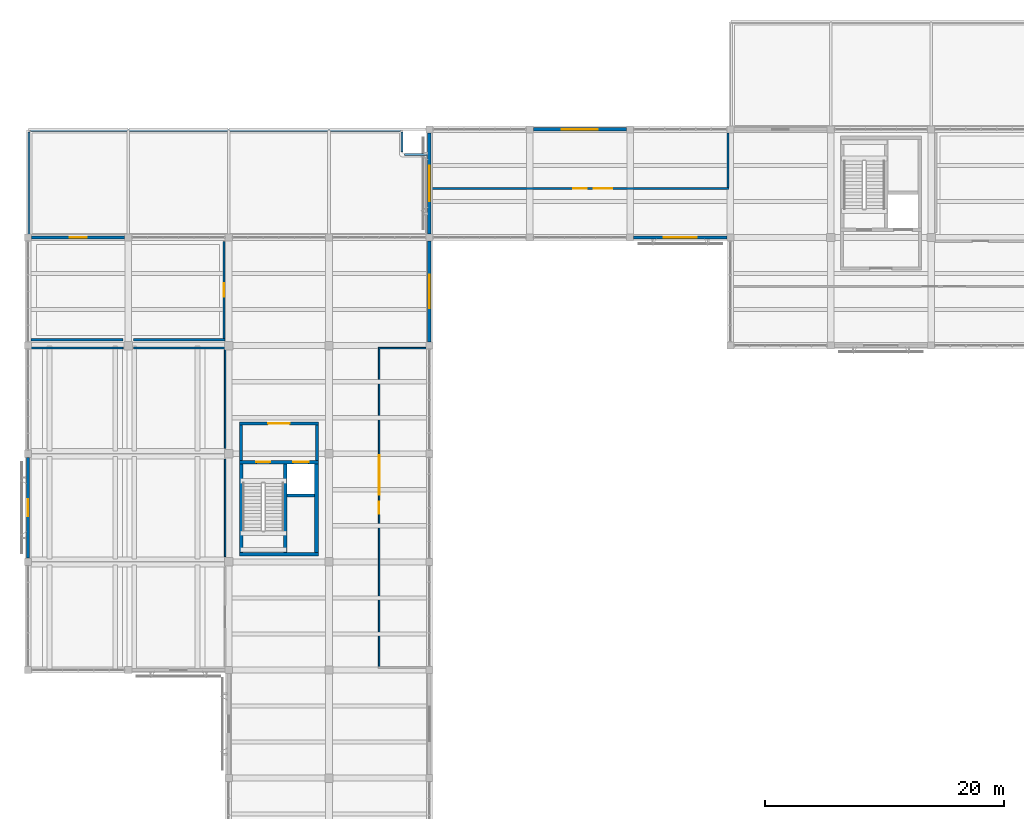
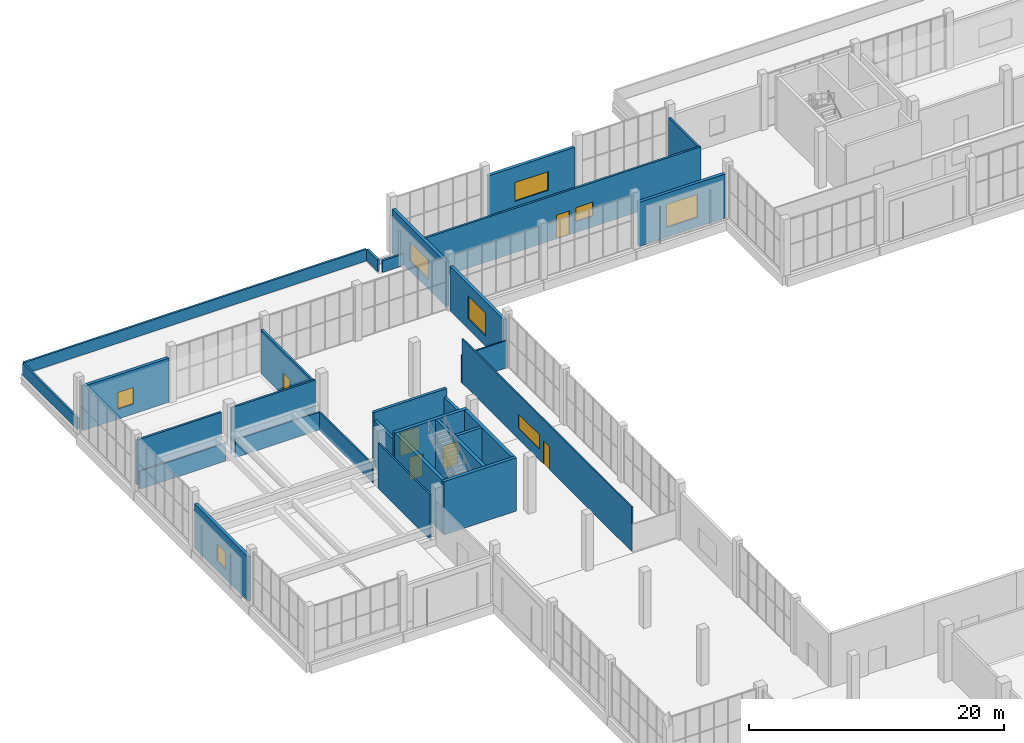
# One storey, part 115 of 132: 30 walls, 8 windows, 6 doors, 14 openings.
"""IFC4 building model written with IfcOpenShell, lengths in metres."""

import ifcopenshell
import ifcopenshell.guid

model = None  # the IFC model being written
_history = None  # IfcOwnerHistory: only IFC2X3 demands one
_inside = {}  # id of a spatial element -> (the spatial element, [elements in it])
_under = {}  # id of a project, library or spatial element -> (it, [spatial elements below it])
_declared = {}  # id of a project -> (the project, [libraries it declares])
_typed = {}  # id of a type object -> (the type object, [elements of that type])
_made_of = {}  # id of a material, layer set ... -> (it, [elements and type objects made of it])


def new_model(schema):
    """Start an empty IFC model of exactly this schema.

    Asked for "IFC4X3", IfcOpenShell would pick the latest addendum, in which some entities
    have other attributes; the version numbers below select the first issue.
    IFC2X3 requires an IfcOwnerHistory on every rooted entity: one is made here for all.
    """
    global model, _history
    if schema == "IFC4X3":
        model = ifcopenshell.file(schema_version=(4, 3, 0, 0))
    else:
        model = ifcopenshell.file(schema=schema)
    _inside.clear()
    _under.clear()
    _declared.clear()
    _typed.clear()
    _made_of.clear()
    _history = None
    if model.schema == "IFC2X3":
        org = make("IfcOrganization", Name="unknown")
        user = make(
            "IfcPersonAndOrganization",
            ThePerson=make("IfcPerson", FamilyName="unknown"),
            TheOrganization=org,
        )
        app = make(
            "IfcApplication",
            ApplicationDeveloper=org,
            Version="unknown",
            ApplicationFullName="unknown",
            ApplicationIdentifier="unknown",
        )
        _history = make(
            "IfcOwnerHistory",
            OwningUser=user,
            OwningApplication=app,
            ChangeAction="ADDED",
            CreationDate=0,
        )
    return model


def make(cls, **values):
    """One entity of the class cls with the attributes given. An attribute that is None is left unset."""
    return model.create_entity(
        cls, **{name: value for name, value in values.items() if value is not None}
    )


def rooted(cls, **values):
    """An entity with a GlobalId (a new one), such as an element, a storey or a relation."""
    return make(cls, GlobalId=ifcopenshell.guid.new(), OwnerHistory=_history, **values)


def si_unit(unit_type, name, prefix=None):
    """IfcSIUnit, for example si_unit("LENGTHUNIT", "METRE", prefix="MILLI")."""
    return make("IfcSIUnit", UnitType=unit_type, Prefix=prefix, Name=name)


def assignment(units):
    """IfcUnitAssignment: the units of a project."""
    return None if units is None else make("IfcUnitAssignment", Units=units)


def point(xyz):
    """IfcCartesianPoint."""
    return None if xyz is None else make("IfcCartesianPoint", Coordinates=xyz)


def direction(xyz):
    """IfcDirection."""
    return None if xyz is None else make("IfcDirection", DirectionRatios=xyz)


def frame(location, z_axis=None, x_axis=None):
    """IfcAxis2Placement3D, a coordinate frame: its origin and axes. An axis left out is left unset."""
    return make(
        "IfcAxis2Placement3D",
        Location=point(location),
        Axis=direction(z_axis),
        RefDirection=direction(x_axis),
    )


def frame_2d(location, x_axis=None):
    """IfcAxis2Placement2D, a coordinate frame in the plane: its origin and x axis."""
    return make(
        "IfcAxis2Placement2D", Location=point(location), RefDirection=direction(x_axis)
    )


def origin():
    """The frame at (0, 0, 0) with its axes left unset."""
    return frame((0.0, 0.0, 0.0))


def place(relative_to, where):
    """IfcLocalPlacement: puts the frame where relative to a parent placement (None: the world)."""
    return make(
        "IfcLocalPlacement", PlacementRelTo=relative_to, RelativePlacement=where
    )


def context(
    kind, dimensions, precision=None, world=None, true_north=None, identifier=None
):
    """IfcGeometricRepresentationContext, for example the 3D "Model" context."""
    return make(
        "IfcGeometricRepresentationContext",
        ContextIdentifier=identifier,
        ContextType=kind,
        CoordinateSpaceDimension=dimensions,
        Precision=precision,
        WorldCoordinateSystem=world,
        TrueNorth=true_north,
    )


def subcontext(parent, identifier, kind, view, scale=None):
    """IfcGeometricRepresentationSubContext, for example "Body" below "Model"."""
    return make(
        "IfcGeometricRepresentationSubContext",
        ContextIdentifier=identifier,
        ContextType=kind,
        ParentContext=parent,
        TargetScale=scale,
        TargetView=view,
    )


def project(units=None, contexts=None):
    """IfcProject with its units and contexts."""
    return rooted(
        "IfcProject",
        Name="project",
        RepresentationContexts=contexts,
        UnitsInContext=assignment(units),
    )


def spatial(cls, under=None, at=None, **own):
    """A site, building, storey or space (cls), placed at a placement, below another one or the project."""
    s = rooted(cls, ObjectPlacement=at, **own)
    if under is not None:
        _under.setdefault(under.id(), (under, []))[1].append(s)
    return s


def profile(cls, at=None, kind="AREA", **sizes):
    """A parametric profile (cls). Its sizes go by their IFC names, for example OverallWidth=200.0."""
    return make(cls, ProfileType=kind, Position=at, **sizes)


def rectangle(**sizes):
    """IfcRectangleProfileDef."""
    return profile("IfcRectangleProfileDef", **sizes)


def extrude(swept, where, along, depth):
    """IfcExtrudedAreaSolid: the profile swept, set in the frame where, extruded along a direction by depth."""
    return make(
        "IfcExtrudedAreaSolid",
        SweptArea=swept,
        Position=where,
        ExtrudedDirection=direction(along),
        Depth=depth,
    )


def shape(context_of_items, identifier, shape_type, items):
    """IfcShapeRepresentation: the items that make up one representation, for example the "Body"."""
    return make(
        "IfcShapeRepresentation",
        ContextOfItems=context_of_items,
        RepresentationIdentifier=identifier,
        RepresentationType=shape_type,
        Items=items,
    )


def material(Name=None, Category=None):
    """IfcMaterial."""
    return make("IfcMaterial", Name=Name, Category=Category)


def layer(
    of_material, thickness, ventilated=None, Name=None, Category=None, Priority=None
):
    """IfcMaterialLayer: one layer of a wall or slab, of a material (None: an air gap)."""
    return make(
        "IfcMaterialLayer",
        Material=of_material,
        LayerThickness=thickness,
        IsVentilated=ventilated,
        Name=Name,
        Category=Category,
        Priority=Priority,
    )


def layer_set(layers, Name=None):
    """IfcMaterialLayerSet."""
    return make("IfcMaterialLayerSet", MaterialLayers=layers, LayerSetName=Name)


def made_of(thing, what):
    """Note that an element or type object is made of a material, layer set ...; save() writes the relation."""
    if what is not None:
        _made_of.setdefault(what.id(), (what, []))[1].append(thing)
    return thing


def type_object(cls, material=None, **own):
    """A type object (cls), such as IfcWallType, which elements share."""
    return made_of(rooted(cls, **own), material)


def element(
    cls,
    number,
    at=None,
    inside=None,
    cuts=None,
    type_object=None,
    material=None,
    context=None,
    identifier="Body",
    shape_type=None,
    held_by="IfcProductDefinitionShape",
    body=None,
    shapes=None,
    **own,
):
    """One element of the class cls, such as IfcWall. Its Tag is "e" and its number.

    at: its placement. inside: the storey or other place that contains it. cuts: it is an
    opening in that element (IfcRelVoidsElement). A single representation is given by context,
    identifier, shape_type and body (its items); several are given by shapes. held_by: the class
    of the entity that holds the representations. save() writes the other relations.
    """
    e = rooted(cls, Tag="e%d" % number, ObjectPlacement=at, **own)
    if body is not None:
        shapes = [shape(context, identifier, shape_type, body)]
    if shapes is not None:
        e.Representation = make(held_by, Representations=shapes)
    if inside is not None:
        _inside.setdefault(inside.id(), (inside, []))[1].append(e)
    if cuts is not None:
        rooted(
            "IfcRelVoidsElement", RelatingBuildingElement=cuts, RelatedOpeningElement=e
        )
    if type_object is not None:
        _typed.setdefault(type_object.id(), (type_object, []))[1].append(e)
    return made_of(e, material)


def fill(opening, filler):
    """IfcRelFillsElement: the door or window that sits in an opening."""
    return rooted(
        "IfcRelFillsElement",
        RelatingOpeningElement=opening,
        RelatedBuildingElement=filler,
    )


def aggregate(whole, parts):
    """IfcRelAggregates: a whole, such as a stair, and the parts it consists of."""
    return rooted("IfcRelAggregates", RelatingObject=whole, RelatedObjects=parts)


def save(model, path):
    """Write the relations noted so far, then the file.

    IfcRelAggregates (storeys below a building ...), IfcRelContainedInSpatialStructure (elements
    in a storey), IfcRelDefinesByType, IfcRelAssociatesMaterial and IfcRelDeclares: one each for
    every whole, place, type object, material and project.
    """
    for whole, parts in _under.values():
        aggregate(whole, parts)
    for where, things in _inside.values():
        rooted(
            "IfcRelContainedInSpatialStructure",
            RelatedElements=things,
            RelatingStructure=where,
        )
    for kind, things in _typed.values():
        rooted("IfcRelDefinesByType", RelatedObjects=things, RelatingType=kind)
    for what, things in _made_of.values():
        rooted("IfcRelAssociatesMaterial", RelatedObjects=things, RelatingMaterial=what)
    for by, libraries in _declared.values():
        rooted("IfcRelDeclares", RelatingContext=by, RelatedDefinitions=libraries)
    model.write(path)


model = new_model("IFC4")

# Units and contexts
model_context = context("Model", 3, precision=1e-05, world=origin(), true_north=direction((0.0, 1.0)))
body_context = subcontext(model_context, "Body", "Model", "MODEL_VIEW")
ifc_project = project(units=[si_unit("LENGTHUNIT", "METRE"), si_unit("AREAUNIT", "SQUARE_METRE"), si_unit("VOLUMEUNIT", "CUBIC_METRE"), si_unit("PLANEANGLEUNIT", "RADIAN"), si_unit("MASSUNIT", "GRAM", prefix="KILO")], contexts=[model_context])

# Site, building, storey
site_placement = place(None, origin())
site = spatial("IfcSite", under=ifc_project, at=site_placement, CompositionType="ELEMENT")
building_placement = place(site_placement, origin())
building = spatial("IfcBuilding", under=site, at=building_placement, Name="Khurvash Pelagic Aquarium", CompositionType="ELEMENT")
storey_placement = place(building_placement, frame((0.0, 0.0, 5.39990234375)))
storey = spatial("IfcBuildingStorey", under=building, at=storey_placement, Name="L01", CompositionType="ELEMENT", Elevation=5.39990234375)

# Wall, opening, window
ifc_material_1 = material(Name="Glass-fibre reinforced concrete C40/50", Category="concrete")
ifc_layer_1 = layer(ifc_material_1, 0.280029296875)
ifc_layer_set_1 = layer_set([ifc_layer_1], Name="Glass-fibre reinforced concrete C40/50")
wall_type_1 = type_object("IfcWallType", Name="EW-280", PredefinedType="STANDARD", material=ifc_layer_set_1)
wall_1_placement = place(storey_placement, frame((50.094970703125, 102.14990234375, 0.0), z_axis=(0.0, 0.0, 1.0), x_axis=(-1.0, 0.0, 0.0)))
wall_1 = element("IfcWall", 1, at=wall_1_placement, inside=storey, type_object=wall_type_1, Name="L01 Exterior Architectural Facade Wall EW-280 0046", PredefinedType="STANDARD", context=body_context, shape_type="SweptSolid", body=[
    extrude(rectangle(XDim=7.7900390625, YDim=0.280029296875, at=frame_2d((3.89501953125, 0.0))), origin(), (0.0, 0.0, 1.0), 4.22998046875),
])
opening_1_placement = place(wall_1_placement, frame((2.39501953125, 0.0, 0.9501953125)))
opening_1 = element("IfcOpeningElement", 2, at=opening_1_placement, cuts=wall_1, Name="Opening WN-06", PredefinedType="OPENING", context=body_context, shape_type="SweptSolid", body=[
    extrude(rectangle(XDim=3.0, YDim=1.800048828125, at=frame_2d((1.5, 0.89990234375))), frame((0.0, 0.14990234375, 0.0), z_axis=(0.0, -1.0, 0.0), x_axis=(1.0, 0.0, 0.0)), (0.0, 0.0, 1.0), 0.300048828125),
])
ifc_material_2 = material(Name="Thermally broken aluminium and low-E glass", Category="aluminium")
window_type_1 = type_object("IfcWindowType", Name="WN-06", PartitioningType="SINGLE_PANEL", PredefinedType="WINDOW", material=ifc_material_2)
window_1_placement = place(opening_1_placement, origin())
window_1 = element("IfcWindow", 3, at=window_1_placement, inside=storey, type_object=window_type_1, Name="L01 Facade Window WN-06 0026", OverallHeight=1.800048828125, OverallWidth=3.0, PartitioningType="SINGLE_PANEL", PredefinedType="WINDOW", context=body_context, shape_type="SweptSolid", body=[
    extrude(rectangle(XDim=3.0, YDim=1.800048828125, at=frame_2d((1.5, 0.89990234375))), frame((0.0, 0.030029296875, 0.0), z_axis=(0.0, -1.0, 0.0), x_axis=(1.0, 0.0, 0.0)), (0.0, 0.0, 1.0), 0.06005859375),
])
fill(opening_1, window_1)

wall_2_placement = place(storey_placement, frame((33.60009765625, 101.844970703125, 0.0), z_axis=(0.0, 0.0, 1.0), x_axis=(0.0, -1.0, 0.0)))
wall_2 = element("IfcWall", 4, at=wall_2_placement, inside=storey, type_object=wall_type_1, Name="L01 Exterior Architectural Facade Wall EW-280 0047", PredefinedType="STANDARD", context=body_context, shape_type="SweptSolid", body=[
    extrude(rectangle(XDim=8.43994140625, YDim=0.280029296875, at=frame_2d((4.219970703125, 0.0))), origin(), (0.0, 0.0, 1.0), 4.25),
])
opening_2_placement = place(wall_2_placement, frame((2.719970703125, 0.0, 0.9501953125)))
opening_2 = element("IfcOpeningElement", 5, at=opening_2_placement, cuts=wall_2, Name="Opening WN-06", PredefinedType="OPENING", context=body_context, shape_type="SweptSolid", body=[
    extrude(rectangle(XDim=3.0, YDim=1.800048828125, at=frame_2d((1.5, 0.89990234375))), frame((0.0, 0.14990234375, 0.0), z_axis=(0.0, -1.0, 0.0), x_axis=(1.0, 0.0, 0.0)), (0.0, 0.0, 1.0), 0.300048828125),
])
window_2_placement = place(opening_2_placement, origin())
window_2 = element("IfcWindow", 6, at=window_2_placement, inside=storey, type_object=window_type_1, Name="L01 Facade Window WN-06 0027", OverallHeight=1.800048828125, OverallWidth=3.0, PartitioningType="SINGLE_PANEL", PredefinedType="WINDOW", context=body_context, shape_type="SweptSolid", body=[
    extrude(rectangle(XDim=3.0, YDim=1.800048828125, at=frame_2d((1.5, 0.89990234375))), frame((0.0, 0.030029296875, 0.0), z_axis=(0.0, -1.0, 0.0), x_axis=(1.0, 0.0, 0.0)), (0.0, 0.0, 1.0), 0.06005859375),
])
fill(opening_2, window_2)

wall_3_placement = place(storey_placement, frame((8.094970703125, 93.10009765625, 0.0), z_axis=(0.0, 0.0, 1.0), x_axis=(-1.0, 0.0, 0.0)))
wall_3 = element("IfcWall", 7, at=wall_3_placement, inside=storey, type_object=wall_type_1, Name="L01 Exterior Architectural Facade Wall EW-280 0048", PredefinedType="STANDARD", context=body_context, shape_type="SweptSolid", body=[
    extrude(rectangle(XDim=7.7900390625, YDim=0.280029296875, at=frame_2d((3.89501953125, 0.0))), origin(), (0.0, 0.0, 1.0), 4.22998046875),
])
opening_3_placement = place(wall_3_placement, frame((3.195068359375, 0.0, 0.9501953125)))
opening_3 = element("IfcOpeningElement", 8, at=opening_3_placement, cuts=wall_3, Name="Opening WN-10", PredefinedType="OPENING", context=body_context, shape_type="SweptSolid", body=[
    extrude(rectangle(XDim=1.39990234375, YDim=1.60009765625, at=frame_2d((0.699951171875, 0.800048828125))), frame((0.0, 0.14990234375, 0.0), z_axis=(0.0, -1.0, 0.0), x_axis=(1.0, 0.0, 0.0)), (0.0, 0.0, 1.0), 0.300048828125),
])
window_type_2 = type_object("IfcWindowType", Name="WN-10", PartitioningType="SINGLE_PANEL", PredefinedType="WINDOW", material=ifc_material_2)
window_3_placement = place(opening_3_placement, origin())
window_3 = element("IfcWindow", 9, at=window_3_placement, inside=storey, type_object=window_type_2, Name="L01 Facade Window WN-10 0028", OverallHeight=1.60009765625, OverallWidth=1.39990234375, PartitioningType="SINGLE_PANEL", PredefinedType="WINDOW", context=body_context, shape_type="SweptSolid", body=[
    extrude(rectangle(XDim=1.39990234375, YDim=1.60009765625, at=frame_2d((0.699951171875, 0.800048828125))), frame((0.0, 0.030029296875, 0.0), z_axis=(0.0, -1.0, 0.0), x_axis=(1.0, 0.0, 0.0)), (0.0, 0.0, 1.0), 0.06005859375),
])
fill(opening_3, window_3)

wall_4_placement = place(storey_placement, frame((0.0, 74.695068359375, 0.0), z_axis=(0.0, 0.0, 1.0), x_axis=(0.0, -1.0, 0.0)))
wall_4 = element("IfcWall", 10, at=wall_4_placement, inside=storey, type_object=wall_type_1, Name="L01 Exterior Architectural Facade Wall EW-280 0049", PredefinedType="STANDARD", context=body_context, shape_type="SweptSolid", body=[
    extrude(rectangle(XDim=8.440185546875, YDim=0.280029296875, at=frame_2d((4.22021484375, 0.0))), origin(), (0.0, 0.0, 1.0), 4.25),
])
opening_4_placement = place(wall_4_placement, frame((3.52001953125, 0.0, 0.9501953125)))
opening_4 = element("IfcOpeningElement", 11, at=opening_4_placement, cuts=wall_4, Name="Opening WN-10", PredefinedType="OPENING", context=body_context, shape_type="SweptSolid", body=[
    extrude(rectangle(XDim=1.39990234375, YDim=1.60009765625, at=frame_2d((0.699951171875, 0.800048828125))), frame((0.0, 0.14990234375, 0.0), z_axis=(0.0, -1.0, 0.0), x_axis=(1.0, 0.0, 0.0)), (0.0, 0.0, 1.0), 0.300048828125),
])
window_4_placement = place(opening_4_placement, origin())
window_4 = element("IfcWindow", 12, at=window_4_placement, inside=storey, type_object=window_type_2, Name="L01 Facade Window WN-10 0029", OverallHeight=1.60009765625, OverallWidth=1.39990234375, PartitioningType="SINGLE_PANEL", PredefinedType="WINDOW", context=body_context, shape_type="SweptSolid", body=[
    extrude(rectangle(XDim=1.39990234375, YDim=1.60009765625, at=frame_2d((0.699951171875, 0.800048828125))), frame((0.0, 0.030029296875, 0.0), z_axis=(0.0, -1.0, 0.0), x_axis=(1.0, 0.0, 0.0)), (0.0, 0.0, 1.0), 0.06005859375),
])
fill(opening_4, window_4)

wall_5_placement = place(storey_placement, frame((33.60009765625, 84.35498046875, 0.0), z_axis=(0.0, 0.0, 1.0), x_axis=(0.0, 1.0, 0.0)))
wall_5 = element("IfcWall", 13, at=wall_5_placement, inside=storey, type_object=wall_type_1, Name="L01 Exterior Architectural Facade Wall EW-280 0052", PredefinedType="STANDARD", context=body_context, shape_type="SweptSolid", body=[
    extrude(rectangle(XDim=8.43994140625, YDim=0.280029296875, at=frame_2d((4.219970703125, 0.0))), origin(), (0.0, 0.0, 1.0), 4.25),
])
opening_5_placement = place(wall_5_placement, frame((2.820068359375, 0.0, 0.9501953125)))
opening_5 = element("IfcOpeningElement", 14, at=opening_5_placement, cuts=wall_5, Name="Opening WN-14", PredefinedType="OPENING", context=body_context, shape_type="SweptSolid", body=[
    extrude(rectangle(XDim=2.800048828125, YDim=2.199951171875, at=frame_2d((1.39990234375, 1.10009765625))), frame((0.0, 0.14990234375, 0.0), z_axis=(0.0, -1.0, 0.0), x_axis=(1.0, 0.0, 0.0)), (0.0, 0.0, 1.0), 0.300048828125),
])
window_type_3 = type_object("IfcWindowType", Name="WN-14", PartitioningType="SINGLE_PANEL", PredefinedType="WINDOW", material=ifc_material_2)
window_5_placement = place(opening_5_placement, origin())
window_5 = element("IfcWindow", 15, at=window_5_placement, inside=storey, type_object=window_type_3, Name="L01 Facade Window WN-14 0032", OverallHeight=2.199951171875, OverallWidth=2.800048828125, PartitioningType="SINGLE_PANEL", PredefinedType="WINDOW", context=body_context, shape_type="SweptSolid", body=[
    extrude(rectangle(XDim=2.800048828125, YDim=2.199951171875, at=frame_2d((1.39990234375, 1.10009765625))), frame((0.0, 0.030029296875, 0.0), z_axis=(0.0, -1.0, 0.0), x_axis=(1.0, 0.0, 0.0)), (0.0, 0.0, 1.0), 0.06005859375),
])
fill(opening_5, window_5)

wall_6_placement = place(storey_placement, frame((50.705078125, 93.10009765625, 0.0), z_axis=(0.0, 0.0, 1.0), x_axis=(1.0, 0.0, 0.0)))
wall_6 = element("IfcWall", 16, at=wall_6_placement, inside=storey, type_object=wall_type_1, Name="L01 Exterior Architectural Facade Wall EW-280 0053", PredefinedType="STANDARD", context=body_context, shape_type="SweptSolid", body=[
    extrude(rectangle(XDim=7.7900390625, YDim=0.280029296875, at=frame_2d((3.89501953125, 0.0))), origin(), (0.0, 0.0, 1.0), 4.22998046875),
])
opening_6_placement = place(wall_6_placement, frame((2.4951171875, 0.0, 0.9501953125)))
opening_6 = element("IfcOpeningElement", 17, at=opening_6_placement, cuts=wall_6, Name="Opening WN-14", PredefinedType="OPENING", context=body_context, shape_type="SweptSolid", body=[
    extrude(rectangle(XDim=2.800048828125, YDim=2.199951171875, at=frame_2d((1.39990234375, 1.10009765625))), frame((0.0, 0.14990234375, 0.0), z_axis=(0.0, -1.0, 0.0), x_axis=(1.0, 0.0, 0.0)), (0.0, 0.0, 1.0), 0.300048828125),
])
window_6_placement = place(opening_6_placement, origin())
window_6 = element("IfcWindow", 18, at=window_6_placement, inside=storey, type_object=window_type_3, Name="L01 Facade Window WN-14 0033", OverallHeight=2.199951171875, OverallWidth=2.800048828125, PartitioningType="SINGLE_PANEL", PredefinedType="WINDOW", context=body_context, shape_type="SweptSolid", body=[
    extrude(rectangle(XDim=2.800048828125, YDim=2.199951171875, at=frame_2d((1.39990234375, 1.10009765625))), frame((0.0, 0.030029296875, 0.0), z_axis=(0.0, -1.0, 0.0), x_axis=(1.0, 0.0, 0.0)), (0.0, 0.0, 1.0), 0.06005859375),
])
fill(opening_6, window_6)

# Walls
ifc_material_3 = material(Name="Precast concrete C40/50", Category="concrete")
ifc_layer_2 = layer(ifc_material_3, 0.179931640625)
ifc_layer_set_2 = layer_set([ifc_layer_2], Name="Precast concrete C40/50")
wall_type_2 = type_object("IfcWallType", Name="PP-180", PredefinedType="PARAPET", material=ifc_layer_set_2)
wall_7_placement = place(storey_placement, frame((0.10009765625, 93.300048828125, 0.0), z_axis=(0.0, 0.0, 1.0), x_axis=(0.0, 1.0, 0.0)))
element("IfcWall", 19, at=wall_7_placement, inside=storey, type_object=wall_type_2, Name="L01 Roof Perimeter Parapet Wall PP-180", PredefinedType="PARAPET", context=body_context, shape_type="SweptSolid", body=[
    extrude(rectangle(XDim=8.64990234375, YDim=0.179931640625, at=frame_2d((4.324951171875, 0.0))), origin(), (0.0, 0.0, 1.0), 1.1201171875),
])
wall_8_placement = place(storey_placement, frame((0.199951171875, 102.050048828125, 0.0), z_axis=(0.0, 0.0, 1.0), x_axis=(1.0, 0.0, 0.0)))
element("IfcWall", 20, at=wall_8_placement, inside=storey, type_object=wall_type_2, Name="L01 Roof Perimeter Parapet Wall PP-180", PredefinedType="PARAPET", context=body_context, shape_type="SweptSolid", body=[
    extrude(rectangle(XDim=31.0, YDim=0.179931640625, at=frame_2d((15.5, 0.0))), origin(), (0.0, 0.0, 1.0), 1.1201171875),
])
wall_9_placement = place(storey_placement, frame((31.300048828125, 101.949951171875, 0.0), z_axis=(0.0, 0.0, 1.0), x_axis=(0.0, -1.0, 0.0)))
element("IfcWall", 21, at=wall_9_placement, inside=storey, type_object=wall_type_2, Name="L01 Roof Perimeter Parapet Wall PP-180", PredefinedType="PARAPET", context=body_context, shape_type="SweptSolid", body=[
    extrude(rectangle(XDim=1.699951171875, YDim=0.179931640625, at=frame_2d((0.85009765625, 0.0))), origin(), (0.0, 0.0, 1.0), 1.1201171875),
])
wall_10_placement = place(storey_placement, frame((31.5, 100.050048828125, 0.0), z_axis=(0.0, 0.0, 1.0), x_axis=(1.0, 0.0, 0.0)))
element("IfcWall", 22, at=wall_10_placement, inside=storey, type_object=wall_type_2, Name="L01 Roof Perimeter Parapet Wall PP-180", PredefinedType="PARAPET", context=body_context, shape_type="SweptSolid", body=[
    extrude(rectangle(XDim=1.89990234375, YDim=0.179931640625, at=frame_2d((0.949951171875, 0.0))), origin(), (0.0, 0.0, 1.0), 1.1201171875),
])

# Wall, openings, door, window
ifc_material_4 = material(Name="Moisture-resistant gypsum and steel stud", Category="steel")
ifc_layer_3 = layer(ifc_material_4, 0.125)
ifc_layer_set_3 = layer_set([ifc_layer_3], Name="Moisture-resistant gypsum and steel stud")
wall_type_3 = type_object("IfcWallType", Name="PW-125", PredefinedType="PARTITIONING", material=ifc_layer_set_3)
wall_11_placement = place(storey_placement, frame((29.39990234375, 57.1630859375, 0.0), z_axis=(0.0, 0.0, 1.0), x_axis=(0.0, 1.0, 0.0)))
wall_11 = element("IfcWall", 23, at=wall_11_placement, inside=storey, type_object=wall_type_3, Name="L01 Oceanography Seminar Room 1 Partition Wall PW-125", PredefinedType="PARTITIONING", context=body_context, shape_type="SweptSolid", body=[
    extrude(rectangle(XDim=26.6240234375, YDim=0.125, at=frame_2d((13.31201171875, 0.0))), origin(), (0.0, 0.0, 1.0), 4.22998046875),
])
opening_7_placement = place(wall_11_placement, frame((12.822021484375, 0.0, 0.0)))
opening_7 = element("IfcOpeningElement", 24, at=opening_7_placement, cuts=wall_11, Name="Opening ID-39", PredefinedType="OPENING", context=body_context, shape_type="SweptSolid", body=[
    extrude(rectangle(XDim=0.97998046875, YDim=2.219970703125, at=frame_2d((0.489990234375, 1.10986328125))), frame((0.0, 0.072509765625, 0.0), z_axis=(0.0, -1.0, 0.0), x_axis=(1.0, 0.0, 0.0)), (0.0, 0.0, 1.0), 0.14501953125),
])
opening_8_placement = place(wall_11_placement, frame((14.402099609375, 0.0, 1.050048828125)))
opening_8 = element("IfcOpeningElement", 25, at=opening_8_placement, cuts=wall_11, Name="Opening IW-12", PredefinedType="OPENING", context=body_context, shape_type="SweptSolid", body=[
    extrude(rectangle(XDim=3.300048828125, YDim=1.35009765625, at=frame_2d((1.64990234375, 0.675048828125))), frame((0.0, 0.072509765625, 0.0), z_axis=(0.0, -1.0, 0.0), x_axis=(1.0, 0.0, 0.0)), (0.0, 0.0, 1.0), 0.14501953125),
])
ifc_material_5 = material(Name="Acoustic staff locker door", Category="wood")
door_type_1 = type_object("IfcDoorType", Name="ID-39", OperationType="NOTDEFINED", PredefinedType="DOOR", material=ifc_material_5)
door_1_placement = place(opening_7_placement, frame((0.97998046875, 0.0, 0.0), z_axis=(0.0, 0.0, 1.0), x_axis=(-1.0, 0.0, 0.0)))
door_1 = element("IfcDoor", 26, at=door_1_placement, inside=storey, type_object=door_type_1, Name="DR-0122", OperationType="SINGLE_SWING_LEFT", OverallHeight=2.219970703125, OverallWidth=0.97998046875, PredefinedType="DOOR", context=body_context, shape_type="SweptSolid", body=[
    extrude(rectangle(XDim=0.97998046875, YDim=2.219970703125, at=frame_2d((0.489990234375, 1.10986328125))), frame((0.0, 0.02490234375, 0.0), z_axis=(0.0, -1.0, 0.0), x_axis=(1.0, 0.0, 0.0)), (0.0, 0.0, 1.0), 0.050048828125),
])
fill(opening_7, door_1)
ifc_material_6 = material(Name="Acoustic laminated interior observation glazing", Category="glass")
window_type_4 = type_object("IfcWindowType", Name="IW-12", PartitioningType="SINGLE_PANEL", PredefinedType="WINDOW", material=ifc_material_6)
window_7_placement = place(opening_8_placement, origin())
window_7 = element("IfcWindow", 27, at=window_7_placement, inside=storey, type_object=window_type_4, Name="L01 Oceanography Seminar Room 1 Observation Window IW-12", OverallHeight=1.35009765625, OverallWidth=3.300048828125, PartitioningType="SINGLE_PANEL", PredefinedType="WINDOW", context=body_context, shape_type="SweptSolid", body=[
    extrude(rectangle(XDim=3.300048828125, YDim=1.35009765625, at=frame_2d((1.64990234375, 0.675048828125))), frame((0.0, 0.030029296875, 0.0), z_axis=(0.0, -1.0, 0.0), x_axis=(1.0, 0.0, 0.0)), (0.0, 0.0, 1.0), 0.06005859375),
])
fill(opening_8, window_7)

# Walls
wall_12_placement = place(storey_placement, frame((29.3369140625, 83.85009765625, 0.0), z_axis=(0.0, 0.0, 1.0), x_axis=(1.0, 0.0, 0.0)))
element("IfcWall", 28, at=wall_12_placement, inside=storey, type_object=wall_type_3, Name="L01 Oceanography Seminar Room 1 Partition Wall PW-125", PredefinedType="PARTITIONING", context=body_context, shape_type="SweptSolid", body=[
    extrude(rectangle(XDim=4.125, YDim=0.125, at=frame_2d((2.0625, 0.0))), origin(), (0.0, 0.0, 1.0), 2.6220703125),
])
ifc_layer_4 = layer(ifc_material_4, 0.139892578125)
ifc_layer_set_4 = layer_set([ifc_layer_4], Name="Moisture-resistant gypsum and steel stud")
wall_type_4 = type_object("IfcWallType", Name="PW-140", PredefinedType="PARTITIONING", material=ifc_layer_set_4)
wall_13_placement = place(storey_placement, frame((16.5, 66.389892578125, 0.0), z_axis=(0.0, 0.0, 1.0), x_axis=(0.0, 1.0, 0.0)))
element("IfcWall", 29, at=wall_13_placement, inside=storey, type_object=wall_type_4, Name="L01 Marine Lecture Auditorium Partition Wall PW-140", PredefinedType="PARTITIONING", context=body_context, shape_type="SweptSolid", body=[
    extrude(rectangle(XDim=8.170166015625, YDim=0.139892578125, at=frame_2d((4.0849609375, 0.0))), origin(), (0.0, 0.0, 1.0), 4.35009765625),
])
wall_14_placement = place(storey_placement, frame((16.5, 75.43994140625, 0.0), z_axis=(0.0, 0.0, 1.0), x_axis=(0.0, 1.0, 0.0)))
element("IfcWall", 30, at=wall_14_placement, inside=storey, type_object=wall_type_4, Name="L01 Marine Lecture Auditorium Partition Wall PW-140", PredefinedType="PARTITIONING", context=body_context, shape_type="SweptSolid", body=[
    extrude(rectangle(XDim=8.340087890625, YDim=0.139892578125, at=frame_2d((4.169921875, 0.0))), origin(), (0.0, 0.0, 1.0), 1.72021484375),
])
wall_15_placement = place(storey_placement, frame((0.179931640625, 83.85009765625, 0.0), z_axis=(0.0, 0.0, 1.0), x_axis=(1.0, 0.0, 0.0)))
element("IfcWall", 31, at=wall_15_placement, inside=storey, type_object=wall_type_4, Name="L01 Marine Lecture Auditorium Partition Wall PW-140", PredefinedType="PARTITIONING", context=body_context, shape_type="SweptSolid", body=[
    extrude(rectangle(XDim=7.780029296875, YDim=0.139892578125, at=frame_2d((3.89013671875, 0.0))), origin(), (0.0, 0.0, 1.0), 1.72021484375),
])
wall_16_placement = place(storey_placement, frame((8.840087890625, 83.85009765625, 0.0), z_axis=(0.0, 0.0, 1.0), x_axis=(1.0, 0.0, 0.0)))
element("IfcWall", 32, at=wall_16_placement, inside=storey, type_object=wall_type_4, Name="L01 Marine Lecture Auditorium Partition Wall PW-140", PredefinedType="PARTITIONING", context=body_context, shape_type="SweptSolid", body=[
    extrude(rectangle(XDim=7.72998046875, YDim=0.139892578125, at=frame_2d((3.864990234375, 0.0))), origin(), (0.0, 0.0, 1.0), 1.72021484375),
])

# Wall, opening, door
ifc_material_7 = material(Name="AAC blockwork", Category="masonry")
ifc_layer_5 = layer(ifc_material_7, 0.18505859375)
ifc_layer_set_5 = layer_set([ifc_layer_5], Name="AAC blockwork")
wall_type_5 = type_object("IfcWallType", Name="PW-185", PredefinedType="PARTITIONING", material=ifc_layer_set_5)
wall_17_placement = place(storey_placement, frame((16.39990234375, 84.64208984375, 0.0), z_axis=(0.0, 0.0, 1.0), x_axis=(0.0, 1.0, 0.0)))
wall_17 = element("IfcWall", 33, at=wall_17_placement, inside=storey, type_object=wall_type_5, Name="L01 Projection and Interpretation Booth Partition Wall PW-185", PredefinedType="PARTITIONING", context=body_context, shape_type="SweptSolid", body=[
    extrude(rectangle(XDim=8.114990234375, YDim=0.18505859375, at=frame_2d((4.0576171875, 0.0))), origin(), (0.0, 0.0, 1.0), 4.22998046875),
])
opening_9_placement = place(wall_17_placement, frame((3.498046875, 0.0, 0.0)))
opening_9 = element("IfcOpeningElement", 34, at=opening_9_placement, cuts=wall_17, Name="Opening ID-04", PredefinedType="OPENING", context=body_context, shape_type="SweptSolid", body=[
    extrude(rectangle(XDim=1.1201171875, YDim=2.199951171875, at=frame_2d((0.56005859375, 1.10009765625))), frame((0.0, 0.1025390625, 0.0), z_axis=(0.0, -1.0, 0.0), x_axis=(1.0, 0.0, 0.0)), (0.0, 0.0, 1.0), 0.205078125),
])
ifc_material_8 = material(Name="Acoustic solid-core timber", Category="wood")
door_type_2 = type_object("IfcDoorType", Name="ID-04", OperationType="NOTDEFINED", PredefinedType="DOOR", material=ifc_material_8)
door_2_placement = place(opening_9_placement, origin())
door_2 = element("IfcDoor", 35, at=door_2_placement, inside=storey, type_object=door_type_2, Name="DR-0121", OperationType="SINGLE_SWING_RIGHT", OverallHeight=2.199951171875, OverallWidth=1.1201171875, PredefinedType="DOOR", context=body_context, shape_type="SweptSolid", body=[
    extrude(rectangle(XDim=1.1201171875, YDim=2.199951171875, at=frame_2d((0.56005859375, 1.10009765625))), frame((0.0, 0.02490234375, 0.0), z_axis=(0.0, -1.0, 0.0), x_axis=(1.0, 0.0, 0.0)), (0.0, 0.0, 1.0), 0.050048828125),
])
fill(opening_9, door_2)

# Walls
wall_18_placement = place(storey_placement, frame((0.257080078125, 84.550048828125, 0.0), z_axis=(0.0, 0.0, 1.0), x_axis=(1.0, 0.0, 0.0)))
element("IfcWall", 36, at=wall_18_placement, inside=storey, type_object=wall_type_5, Name="L01 Projection and Interpretation Booth Partition Wall PW-185", PredefinedType="PARTITIONING", context=body_context, shape_type="SweptSolid", body=[
    extrude(rectangle(XDim=7.702880859375, YDim=0.18505859375, at=frame_2d((3.8515625, 0.0))), origin(), (0.0, 0.0, 1.0), 4.25),
])
wall_19_placement = place(storey_placement, frame((8.840087890625, 84.550048828125, 0.0), z_axis=(0.0, 0.0, 1.0), x_axis=(1.0, 0.0, 0.0)))
element("IfcWall", 37, at=wall_19_placement, inside=storey, type_object=wall_type_5, Name="L01 Projection and Interpretation Booth Partition Wall PW-185", PredefinedType="PARTITIONING", context=body_context, shape_type="SweptSolid", body=[
    extrude(rectangle(XDim=7.65185546875, YDim=0.18505859375, at=frame_2d((3.825927734375, 0.0))), origin(), (0.0, 0.0, 1.0), 4.35009765625),
])

# Wall, openings, door, window
wall_20_placement = place(storey_placement, frame((33.70703125, 97.199951171875, 0.0), z_axis=(0.0, 0.0, 1.0), x_axis=(1.0, 0.0, 0.0)))
wall_20 = element("IfcWall", 38, at=wall_20_placement, inside=storey, type_object=wall_type_5, Name="L01 Seawater Chemistry Analytical Laboratory Partition Wall PW-185", PredefinedType="PARTITIONING", context=body_context, shape_type="SweptSolid", body=[
    extrude(rectangle(XDim=24.986083984375, YDim=0.18505859375, at=frame_2d((12.4931640625, 0.0))), origin(), (0.0, 0.0, 1.0), 4.25),
])
opening_10_placement = place(wall_20_placement, frame((11.923095703125, 0.0, 0.0)))
opening_10 = element("IfcOpeningElement", 39, at=opening_10_placement, cuts=wall_20, Name="Opening ID-40", PredefinedType="OPENING", context=body_context, shape_type="SweptSolid", body=[
    extrude(rectangle(XDim=1.139892578125, YDim=2.280029296875, at=frame_2d((0.56982421875, 1.14013671875))), frame((0.0, 0.1025390625, 0.0), z_axis=(0.0, -1.0, 0.0), x_axis=(1.0, 0.0, 0.0)), (0.0, 0.0, 1.0), 0.205078125),
])
opening_11_placement = place(wall_20_placement, frame((13.6630859375, 0.0, 1.050048828125)))
opening_11 = element("IfcOpeningElement", 40, at=opening_11_placement, cuts=wall_20, Name="Opening IW-13", PredefinedType="OPENING", context=body_context, shape_type="SweptSolid", body=[
    extrude(rectangle(XDim=1.550048828125, YDim=1.320068359375, at=frame_2d((0.77490234375, 0.66015625))), frame((0.0, 0.1025390625, 0.0), z_axis=(0.0, -1.0, 0.0), x_axis=(1.0, 0.0, 0.0)), (0.0, 0.0, 1.0), 0.205078125),
])
ifc_material_9 = material(Name="FRP husbandry prep door", Category="wood")
door_type_3 = type_object("IfcDoorType", Name="ID-40", OperationType="NOTDEFINED", PredefinedType="DOOR", material=ifc_material_9)
door_3_placement = place(opening_10_placement, origin())
door_3 = element("IfcDoor", 41, at=door_3_placement, inside=storey, type_object=door_type_3, Name="DR-0123", OperationType="SINGLE_SWING_RIGHT", OverallHeight=2.280029296875, OverallWidth=1.139892578125, PredefinedType="DOOR", context=body_context, shape_type="SweptSolid", body=[
    extrude(rectangle(XDim=1.139892578125, YDim=2.280029296875, at=frame_2d((0.56982421875, 1.14013671875))), frame((0.0, 0.02490234375, 0.0), z_axis=(0.0, -1.0, 0.0), x_axis=(1.0, 0.0, 0.0)), (0.0, 0.0, 1.0), 0.050048828125),
])
fill(opening_10, door_3)
window_type_5 = type_object("IfcWindowType", Name="IW-13", PartitioningType="SINGLE_PANEL", PredefinedType="WINDOW", material=ifc_material_6)
window_8_placement = place(opening_11_placement, origin())
window_8 = element("IfcWindow", 42, at=window_8_placement, inside=storey, type_object=window_type_5, Name="L01 Seawater Chemistry Analytical Laboratory Observation Window IW-13", OverallHeight=1.320068359375, OverallWidth=1.550048828125, PartitioningType="SINGLE_PANEL", PredefinedType="WINDOW", context=body_context, shape_type="SweptSolid", body=[
    extrude(rectangle(XDim=1.550048828125, YDim=1.320068359375, at=frame_2d((0.77490234375, 0.66015625))), frame((0.0, 0.030029296875, 0.0), z_axis=(0.0, -1.0, 0.0), x_axis=(1.0, 0.0, 0.0)), (0.0, 0.0, 1.0), 0.06005859375),
])
fill(opening_11, window_8)

# Wall
wall_21_placement = place(storey_placement, frame((58.60009765625, 97.29296875, 0.0), z_axis=(0.0, 0.0, 1.0), x_axis=(0.0, 1.0, 0.0)))
element("IfcWall", 43, at=wall_21_placement, inside=storey, type_object=wall_type_5, Name="L01 Seawater Chemistry Analytical Laboratory Partition Wall PW-185", PredefinedType="PARTITIONING", context=body_context, shape_type="SweptSolid", body=[
    extrude(rectangle(XDim=4.56494140625, YDim=0.18505859375, at=frame_2d((2.282470703125, 0.0))), origin(), (0.0, 0.0, 1.0), 4.22998046875),
])

# Wall, opening, door
ifc_layer_6 = layer(ifc_material_7, 0.25)
ifc_layer_set_6 = layer_set([ifc_layer_6], Name="AAC blockwork")
wall_type_6 = type_object("IfcWallType", Name="PW-250", PredefinedType="PARTITIONING", material=ifc_layer_set_6)
wall_22_placement = place(storey_placement, frame((17.699951171875, 77.52490234375, 0.0), z_axis=(0.0, 0.0, 1.0), x_axis=(1.0, 0.0, 0.0)))
wall_22 = element("IfcWall", 44, at=wall_22_placement, inside=storey, type_object=wall_type_6, Name="L01 Core C5 Lobby Front Fire Wall PW-250", PredefinedType="PARTITIONING", context=body_context, shape_type="SweptSolid", body=[
    extrude(rectangle(XDim=6.60009765625, YDim=0.25, at=frame_2d((3.300048828125, 0.0))), origin(), (0.0, 0.0, 1.0), 5.10009765625),
])
opening_12_placement = place(wall_22_placement, frame((2.39990234375, 0.0, 0.0)))
opening_12 = element("IfcOpeningElement", 45, at=opening_12_placement, cuts=wall_22, Name="Opening FD-02", PredefinedType="OPENING", context=body_context, shape_type="SweptSolid", body=[
    extrude(rectangle(XDim=1.800048828125, YDim=2.25, at=frame_2d((0.89990234375, 1.125))), frame((0.0, 0.135009765625, 0.0), z_axis=(0.0, -1.0, 0.0), x_axis=(1.0, 0.0, 0.0)), (0.0, 0.0, 1.0), 0.27001953125),
])
ifc_material_10 = material(Name="Galvanised steel double fire door", Category="steel")
door_type_4 = type_object("IfcDoorType", Name="FD-02", OperationType="DOUBLE_DOOR_SINGLE_SWING", PredefinedType="DOOR", material=ifc_material_10)
door_4_placement = place(opening_12_placement, origin())
door_4 = element("IfcDoor", 46, at=door_4_placement, inside=storey, type_object=door_type_4, Name="DR-0130", OperationType="DOUBLE_DOOR_SINGLE_SWING", OverallHeight=2.25, OverallWidth=1.800048828125, PredefinedType="DOOR", context=body_context, shape_type="SweptSolid", body=[
    extrude(rectangle(XDim=1.800048828125, YDim=2.25, at=frame_2d((0.89990234375, 1.125))), frame((0.0, 0.02490234375, 0.0), z_axis=(0.0, -1.0, 0.0), x_axis=(1.0, 0.0, 0.0)), (0.0, 0.0, 1.0), 0.050048828125),
])
fill(opening_12, door_4)

# Walls
for number, where, z_axis, x_axis, name in (
    (47, (17.824951171875, 74.449951171875, 0.0), (0.0, 0.0, 1.0), (0.0, 1.0, 0.0), "L01 Core C5 Lobby West Fire Wall PW-250"),
    (48, (24.175048828125, 74.449951171875, 0.0), (0.0, 0.0, 1.0), (0.0, 1.0, 0.0), "L01 Core C5 Lobby East Fire Wall PW-250"),
):
    element("IfcWall", number, at=place(storey_placement, frame(where, z_axis=z_axis, x_axis=x_axis)), inside=storey, type_object=wall_type_6, Name=name, PredefinedType="PARTITIONING", context=body_context, shape_type="SweptSolid", body=[
        extrude(rectangle(XDim=2.949951171875, YDim=0.25, at=frame_2d((1.47509765625, 0.0))), origin(), (0.0, 0.0, 1.0), 4.330078125),
    ])
ifc_material_11 = material(Name="Concrete C40/50", Category="concrete")
ifc_layer_7 = layer(ifc_material_11, 0.27490234375)
ifc_layer_set_7 = layer_set([ifc_layer_7], Name="Concrete C40/50")
wall_type_7 = type_object("IfcWallType", Name="SW-275", PredefinedType="SHEAR", material=ifc_layer_set_7)
wall_23_placement = place(storey_placement, frame((21.699951171875, 71.512939453125, 0.0), z_axis=(0.0, 0.0, 1.0), x_axis=(1.0, 0.0, 0.0)))
element("IfcWall", 49, at=wall_23_placement, inside=storey, type_object=wall_type_7, Name="L01 Lift PL-02 Shaft Rear Shear Wall SW-275", PredefinedType="SHEAR", context=body_context, shape_type="SweptSolid", body=[
    extrude(rectangle(XDim=2.300048828125, YDim=0.27490234375, at=frame_2d((1.14990234375, 0.0))), origin(), (0.0, 0.0, 1.0), 5.10009765625),
])
ifc_layer_8 = layer(ifc_material_11, 0.300048828125)
ifc_layer_set_8 = layer_set([ifc_layer_8], Name="Concrete C40/50")
wall_type_8 = type_object("IfcWallType", Name="SW-300", PredefinedType="SHEAR", material=ifc_layer_set_8)
wall_24_placement = place(storey_placement, frame((17.699951171875, 66.60009765625, 0.0), z_axis=(0.0, 0.0, 1.0), x_axis=(1.0, 0.0, 0.0)))
element("IfcWall", 50, at=wall_24_placement, inside=storey, type_object=wall_type_8, Name="L01 Core C5 South Shear Wall SW-300", PredefinedType="SHEAR", context=body_context, shape_type="SweptSolid", body=[
    extrude(rectangle(XDim=6.60009765625, YDim=0.300048828125, at=frame_2d((3.300048828125, 0.0))), origin(), (0.0, 0.0, 1.0), 5.10009765625),
])

# Wall, openings, doors
wall_25_placement = place(storey_placement, frame((17.699951171875, 74.300048828125, 0.0), z_axis=(0.0, 0.0, 1.0), x_axis=(1.0, 0.0, 0.0)))
wall_25 = element("IfcWall", 51, at=wall_25_placement, inside=storey, type_object=wall_type_8, Name="L01 Core C5 North Shear Wall SW-300", PredefinedType="SHEAR", context=body_context, shape_type="SweptSolid", body=[
    extrude(rectangle(XDim=6.60009765625, YDim=0.300048828125, at=frame_2d((3.300048828125, 0.0))), origin(), (0.0, 0.0, 1.0), 5.10009765625),
])
opening_13_placement = place(wall_25_placement, frame((1.425048828125, 0.0, 0.0)))
opening_13 = element("IfcOpeningElement", 52, at=opening_13_placement, cuts=wall_25, Name="Opening FD-01", PredefinedType="OPENING", context=body_context, shape_type="SweptSolid", body=[
    extrude(rectangle(XDim=1.14990234375, YDim=2.199951171875, at=frame_2d((0.574951171875, 1.10009765625))), frame((0.0, 0.16015625, 0.0), z_axis=(0.0, -1.0, 0.0), x_axis=(1.0, 0.0, 0.0)), (0.0, 0.0, 1.0), 0.320068359375),
])
opening_14_placement = place(wall_25_placement, frame((4.5, 0.0, 0.0)))
opening_14 = element("IfcOpeningElement", 53, at=opening_14_placement, cuts=wall_25, Name="Opening LD-02", PredefinedType="OPENING", context=body_context, shape_type="SweptSolid", body=[
    extrude(rectangle(XDim=1.300048828125, YDim=2.199951171875, at=frame_2d((0.64990234375, 1.10009765625))), frame((0.0, 0.16015625, 0.0), z_axis=(0.0, -1.0, 0.0), x_axis=(1.0, 0.0, 0.0)), (0.0, 0.0, 1.0), 0.320068359375),
])
ifc_material_12 = material(Name="Galvanised steel fire door", Category="steel")
door_type_5 = type_object("IfcDoorType", Name="FD-01", OperationType="NOTDEFINED", PredefinedType="DOOR", material=ifc_material_12)
door_5_placement = place(opening_13_placement, frame((1.14990234375, 0.0, 0.0), z_axis=(0.0, 0.0, 1.0), x_axis=(-1.0, 0.0, 0.0)))
door_5 = element("IfcDoor", 54, at=door_5_placement, inside=storey, type_object=door_type_5, Name="DR-0094", OperationType="SINGLE_SWING_LEFT", OverallHeight=2.199951171875, OverallWidth=1.14990234375, PredefinedType="DOOR", context=body_context, shape_type="SweptSolid", body=[
    extrude(rectangle(XDim=1.14990234375, YDim=2.199951171875, at=frame_2d((0.574951171875, 1.10009765625))), frame((0.0, 0.02490234375, 0.0), z_axis=(0.0, -1.0, 0.0), x_axis=(1.0, 0.0, 0.0)), (0.0, 0.0, 1.0), 0.050048828125),
])
fill(opening_13, door_5)
ifc_material_13 = material(Name="Brushed stainless steel 316 lift landing door", Category="steel")
door_type_6 = type_object("IfcDoorType", Name="LD-02", OperationType="DOUBLE_DOOR_SLIDING", PredefinedType="DOOR", material=ifc_material_13)
door_6_placement = place(opening_14_placement, origin())
door_6 = element("IfcDoor", 55, at=door_6_placement, inside=storey, type_object=door_type_6, Name="DR-0100", OperationType="DOUBLE_DOOR_SLIDING", OverallHeight=2.199951171875, OverallWidth=1.300048828125, PredefinedType="DOOR", context=body_context, shape_type="SweptSolid", body=[
    extrude(rectangle(XDim=1.300048828125, YDim=2.199951171875, at=frame_2d((0.64990234375, 1.10009765625))), frame((0.0, 0.02490234375, 0.0), z_axis=(0.0, -1.0, 0.0), x_axis=(1.0, 0.0, 0.0)), (0.0, 0.0, 1.0), 0.050048828125),
])
fill(opening_14, door_6)

# Walls
for number, where, z_axis, x_axis, name in (
    (56, (17.85009765625, 66.75, 0.0), (0.0, 0.0, 1.0), (0.0, 1.0, 0.0), "L01 Core C5 West Shear Wall SW-300"),
    (57, (24.14990234375, 66.75, 0.0), (0.0, 0.0, 1.0), (0.0, 1.0, 0.0), "L01 Core C5 East Shear Wall SW-300"),
    (58, (21.550048828125, 66.75, 0.0), (0.0, 0.0, 1.0), (0.0, 1.0, 0.0), "L01 Core C5 Divider Shear Wall SW-300"),
):
    element("IfcWall", number, at=place(storey_placement, frame(where, z_axis=z_axis, x_axis=x_axis)), inside=storey, type_object=wall_type_8, Name=name, PredefinedType="SHEAR", context=body_context, shape_type="SweptSolid", body=[
        extrude(rectangle(XDim=7.39990234375, YDim=0.300048828125, at=frame_2d((3.699951171875, 0.0))), origin(), (0.0, 0.0, 1.0), 5.10009765625),
    ])

save(model, "model.ifc")
